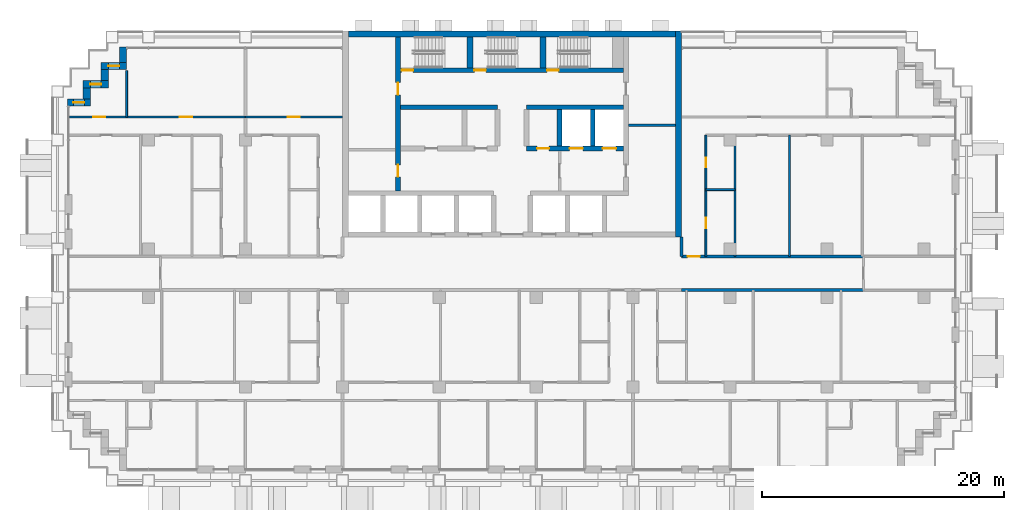
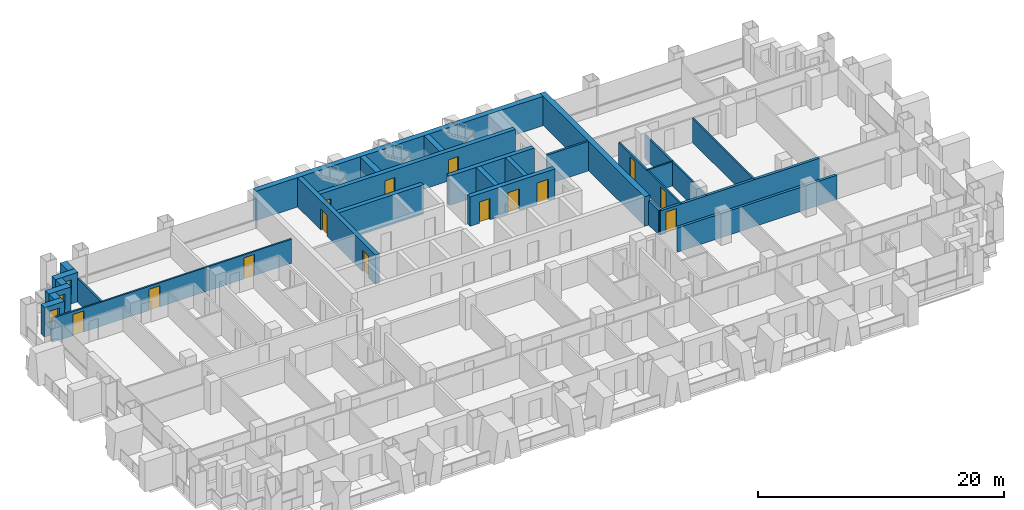
# One storey, part 12 of 18: 28 walls, 14 doors, 3 windows, 17 openings.
"""IFC4 building model written with IfcOpenShell, lengths in metres."""

from ifc_helpers import new_model, si_unit, direction, frame, frame_2d, origin, place, context, subcontext, project, spatial, rectangle, extrude, material, layer, layer_set, type_object, element, fill, save


model = new_model("IFC4")

# Units and contexts
model_context = context("Model", 3, precision=1e-05, world=origin(), true_north=direction((0.0, 1.0)))
body_context = subcontext(model_context, "Body", "Model", "MODEL_VIEW")
ifc_project = project(units=[si_unit("LENGTHUNIT", "METRE"), si_unit("AREAUNIT", "SQUARE_METRE"), si_unit("VOLUMEUNIT", "CUBIC_METRE"), si_unit("PLANEANGLEUNIT", "RADIAN"), si_unit("MASSUNIT", "GRAM", prefix="KILO")], contexts=[model_context])

# Site, building, storey
site_placement = place(None, origin())
site = spatial("IfcSite", under=ifc_project, at=site_placement, CompositionType="ELEMENT")
building_placement = place(site_placement, origin())
building = spatial("IfcBuilding", under=site, at=building_placement, Name="Vidyagriha Tower", CompositionType="ELEMENT")
storey_placement = place(building_placement, frame((0.0, 0.0, 51.199951171875)))
storey = spatial("IfcBuildingStorey", under=building, at=storey_placement, Name="L13", CompositionType="ELEMENT", Elevation=51.199951171875)

# Wall
ifc_material_1 = material(Name="Precast concrete C40/50 with brick facing", Category="concrete")
ifc_layer_1 = layer(ifc_material_1, 0.60009765625)
ifc_layer_set_1 = layer_set([ifc_layer_1], Name="Precast concrete C40/50 with brick facing")
wall_type_1 = type_object("IfcWallType", Name="Brick-faced precast wall 600", PredefinedType="STANDARD", material=ifc_layer_set_1)
wall_1_placement = place(storey_placement, frame((-32.10009765625, 18.679931640625, 0.0), z_axis=(0.0, 0.0, 1.0), x_axis=(0.0, -1.0, 0.0)))
element("IfcWall", 1, at=wall_1_placement, inside=storey, type_object=wall_type_1, Name="Stepped corner wall L13 R10", PredefinedType="STANDARD", context=body_context, shape_type="SweptSolid", body=[
    extrude(rectangle(XDim=1.280029296875, YDim=0.60009765625, at=frame_2d((0.64013671875, 0.0))), origin(), (0.0, 0.0, 1.0), 2.920166015625),
])

# Wall, opening, window
wall_2_placement = place(storey_placement, frame((-31.800048828125, 17.10009765625, 0.0), z_axis=(0.0, 0.0, 1.0), x_axis=(-1.0, 0.0, 0.0)))
wall_2 = element("IfcWall", 2, at=wall_2_placement, inside=storey, type_object=wall_type_1, Name="Stepped corner wall L13 R11", PredefinedType="STANDARD", context=body_context, shape_type="SweptSolid", body=[
    extrude(rectangle(XDim=2.099853515625, YDim=0.60009765625, at=frame_2d((1.0498046875, 0.0))), origin(), (0.0, 0.0, 1.0), 2.920166015625),
])
opening_1_placement = place(wall_2_placement, frame((0.60009765625, 0.0, 0.89990234375)))
opening_1 = element("IfcOpeningElement", 3, at=opening_1_placement, cuts=wall_2, Name="Opening WN1", PredefinedType="OPENING", context=body_context, shape_type="SweptSolid", body=[
    extrude(rectangle(XDim=0.89990234375, YDim=1.5, at=frame_2d((0.449951171875, 0.75))), frame((0.0, 0.31005859375, 0.0), z_axis=(0.0, -1.0, 0.0), x_axis=(1.0, 0.0, 0.0)), (0.0, 0.0, 1.0), 0.6201171875),
])
ifc_material_2 = material(Name="Aluminium and glass window", Category="aluminium")
window_type = type_object("IfcWindowType", Name="Reveal window 900x1500", PartitioningType="NOTDEFINED", PredefinedType="WINDOW", material=ifc_material_2)
window_1_placement = place(opening_1_placement, origin())
window_1 = element("IfcWindow", 4, at=window_1_placement, inside=storey, type_object=window_type, Name="Reveal window L13 R11", OverallHeight=1.5, OverallWidth=0.89990234375, PartitioningType="SINGLE_PANEL", PredefinedType="WINDOW", context=body_context, shape_type="SweptSolid", body=[
    extrude(rectangle(XDim=0.89990234375, YDim=1.5, at=frame_2d((0.449951171875, 0.75))), frame((0.0, 0.030029296875, 0.0), z_axis=(0.0, -1.0, 0.0), x_axis=(1.0, 0.0, 0.0)), (0.0, 0.0, 1.0), 0.06005859375),
])
fill(opening_1, window_1)

# Wall
wall_3_placement = place(storey_placement, frame((-33.60009765625, 16.800048828125, 0.0), z_axis=(0.0, 0.0, 1.0), x_axis=(0.0, -1.0, 0.0)))
element("IfcWall", 5, at=wall_3_placement, inside=storey, type_object=wall_type_1, Name="Stepped corner wall L13 R12", PredefinedType="STANDARD", context=body_context, shape_type="SweptSolid", body=[
    extrude(rectangle(XDim=0.900146484375, YDim=0.60009765625, at=frame_2d((0.4501953125, 0.0))), origin(), (0.0, 0.0, 1.0), 2.920166015625),
])

# Wall, opening, window
wall_4_placement = place(storey_placement, frame((-33.300048828125, 15.60009765625, 0.0), z_axis=(0.0, 0.0, 1.0), x_axis=(-1.0, 0.0, 0.0)))
wall_4 = element("IfcWall", 6, at=wall_4_placement, inside=storey, type_object=wall_type_1, Name="Stepped corner wall L13 R13", PredefinedType="STANDARD", context=body_context, shape_type="SweptSolid", body=[
    extrude(rectangle(XDim=2.099853515625, YDim=0.60009765625, at=frame_2d((1.0498046875, 0.0))), origin(), (0.0, 0.0, 1.0), 2.920166015625),
])
opening_2_placement = place(wall_4_placement, frame((0.60009765625, 0.0, 0.89990234375)))
opening_2 = element("IfcOpeningElement", 7, at=opening_2_placement, cuts=wall_4, Name="Opening WN1", PredefinedType="OPENING", context=body_context, shape_type="SweptSolid", body=[
    extrude(rectangle(XDim=0.89990234375, YDim=1.5, at=frame_2d((0.449951171875, 0.75))), frame((0.0, 0.31005859375, 0.0), z_axis=(0.0, -1.0, 0.0), x_axis=(1.0, 0.0, 0.0)), (0.0, 0.0, 1.0), 0.6201171875),
])
window_2_placement = place(opening_2_placement, origin())
window_2 = element("IfcWindow", 8, at=window_2_placement, inside=storey, type_object=window_type, Name="Reveal window L13 R13", OverallHeight=1.5, OverallWidth=0.89990234375, PartitioningType="SINGLE_PANEL", PredefinedType="WINDOW", context=body_context, shape_type="SweptSolid", body=[
    extrude(rectangle(XDim=0.89990234375, YDim=1.5, at=frame_2d((0.449951171875, 0.75))), frame((0.0, 0.030029296875, 0.0), z_axis=(0.0, -1.0, 0.0), x_axis=(1.0, 0.0, 0.0)), (0.0, 0.0, 1.0), 0.06005859375),
])
fill(opening_2, window_2)

# Wall
wall_5_placement = place(storey_placement, frame((-35.10009765625, 15.300048828125, 0.0), z_axis=(0.0, 0.0, 1.0), x_axis=(0.0, -1.0, 0.0)))
element("IfcWall", 9, at=wall_5_placement, inside=storey, type_object=wall_type_1, Name="Stepped corner wall L13 R14", PredefinedType="STANDARD", context=body_context, shape_type="SweptSolid", body=[
    extrude(rectangle(XDim=0.900146484375, YDim=0.60009765625, at=frame_2d((0.4501953125, 0.0))), origin(), (0.0, 0.0, 1.0), 2.920166015625),
])

# Wall, opening, window
wall_6_placement = place(storey_placement, frame((-34.800048828125, 14.10009765625, 0.0), z_axis=(0.0, 0.0, 1.0), x_axis=(-1.0, 0.0, 0.0)))
wall_6 = element("IfcWall", 10, at=wall_6_placement, inside=storey, type_object=wall_type_1, Name="Stepped corner wall L13 R15", PredefinedType="STANDARD", context=body_context, shape_type="SweptSolid", body=[
    extrude(rectangle(XDim=1.8798828125, YDim=0.60009765625, at=frame_2d((0.93994140625, 0.0))), origin(), (0.0, 0.0, 1.0), 2.920166015625),
])
opening_3_placement = place(wall_6_placement, frame((0.489990234375, 0.0, 0.89990234375)))
opening_3 = element("IfcOpeningElement", 11, at=opening_3_placement, cuts=wall_6, Name="Opening WN1", PredefinedType="OPENING", context=body_context, shape_type="SweptSolid", body=[
    extrude(rectangle(XDim=0.89990234375, YDim=1.5, at=frame_2d((0.449951171875, 0.75))), frame((0.0, 0.31005859375, 0.0), z_axis=(0.0, -1.0, 0.0), x_axis=(1.0, 0.0, 0.0)), (0.0, 0.0, 1.0), 0.6201171875),
])
window_3_placement = place(opening_3_placement, origin())
window_3 = element("IfcWindow", 12, at=window_3_placement, inside=storey, type_object=window_type, Name="Reveal window L13 R15", OverallHeight=1.5, OverallWidth=0.89990234375, PartitioningType="SINGLE_PANEL", PredefinedType="WINDOW", context=body_context, shape_type="SweptSolid", body=[
    extrude(rectangle(XDim=0.89990234375, YDim=1.5, at=frame_2d((0.449951171875, 0.75))), frame((0.0, 0.030029296875, 0.0), z_axis=(0.0, -1.0, 0.0), x_axis=(1.0, 0.0, 0.0)), (0.0, 0.0, 1.0), 0.06005859375),
])
fill(opening_3, window_3)

# Wall, openings, doors
ifc_material_3 = material(Name="Concrete C60/75", Category="concrete")
ifc_layer_2 = layer(ifc_material_3, 0.39990234375)
ifc_layer_set_2 = layer_set([ifc_layer_2], Name="Concrete C60/75")
wall_type_2 = type_object("IfcWallType", Name="Core shear wall 400 mm", PredefinedType="SHEAR", material=ifc_layer_set_2)
wall_7_placement = place(storey_placement, frame((-9.39990234375, 6.800048828125, 0.0), z_axis=(0.0, 0.0, 1.0), x_axis=(0.0, 1.0, 0.0)))
wall_7 = element("IfcWall", 13, at=wall_7_placement, inside=storey, type_object=wall_type_2, Name="Core west spine wall", PredefinedType="SHEAR", context=body_context, shape_type="SweptSolid", body=[
    extrude(rectangle(XDim=12.699951171875, YDim=0.39990234375, at=frame_2d((6.35009765625, 0.0))), origin(), (0.0, 0.0, 1.0), 2.920166015625),
])
opening_4_placement = place(wall_7_placement, frame((1.14990234375, 0.0, 0.0)))
opening_4 = element("IfcOpeningElement", 14, at=opening_4_placement, cuts=wall_7, Name="Opening D13-09", PredefinedType="OPENING", context=body_context, shape_type="SweptSolid", body=[
    extrude(rectangle(XDim=1.0, YDim=2.10009765625, at=frame_2d((0.5, 1.050048828125))), frame((0.0, 0.2099609375, 0.0), z_axis=(0.0, -1.0, 0.0), x_axis=(1.0, 0.0, 0.0)), (0.0, 0.0, 1.0), 0.419921875),
])
opening_5_placement = place(wall_7_placement, frame((7.925048828125, 0.0, 0.0)))
opening_5 = element("IfcOpeningElement", 15, at=opening_5_placement, cuts=wall_7, Name="Opening D13-10", PredefinedType="OPENING", context=body_context, shape_type="SweptSolid", body=[
    extrude(rectangle(XDim=1.0, YDim=2.10009765625, at=frame_2d((0.5, 1.050048828125))), frame((0.0, 0.2099609375, 0.0), z_axis=(0.0, -1.0, 0.0), x_axis=(1.0, 0.0, 0.0)), (0.0, 0.0, 1.0), 0.419921875),
])
ifc_material_4 = material(Name="Hollow metal door leaf")
door_type_1 = type_object("IfcDoorType", Name="Core room door 1000 x 2100 mm EI 60", OperationType="NOTDEFINED", PredefinedType="DOOR", material=ifc_material_4)
door_1_placement = place(opening_4_placement, frame((1.0, 0.0, 0.0), z_axis=(0.0, 0.0, 1.0), x_axis=(-1.0, 0.0, 0.0)))
door_1 = element("IfcDoor", 16, at=door_1_placement, inside=storey, type_object=door_type_1, Name="Door Switchgear Room 13.W1", OperationType="SINGLE_SWING_RIGHT", OverallHeight=2.10009765625, OverallWidth=1.0, PredefinedType="DOOR", context=body_context, shape_type="SweptSolid", body=[
    extrude(rectangle(XDim=1.0, YDim=2.10009765625, at=frame_2d((0.5, 1.050048828125))), frame((0.0, 0.02490234375, 0.0), z_axis=(0.0, -1.0, 0.0), x_axis=(1.0, 0.0, 0.0)), (0.0, 0.0, 1.0), 0.050048828125),
])
fill(opening_4, door_1)
door_2_placement = place(opening_5_placement, frame((1.0, 0.0, 0.0), z_axis=(0.0, 0.0, 1.0), x_axis=(-1.0, 0.0, 0.0)))
door_2 = element("IfcDoor", 17, at=door_2_placement, inside=storey, type_object=door_type_1, Name="Door Electrical Room 13.W2", OperationType="SINGLE_SWING_LEFT", OverallHeight=2.10009765625, OverallWidth=1.0, PredefinedType="DOOR", context=body_context, shape_type="SweptSolid", body=[
    extrude(rectangle(XDim=1.0, YDim=2.10009765625, at=frame_2d((0.5, 1.050048828125))), frame((0.0, 0.02490234375, 0.0), z_axis=(0.0, -1.0, 0.0), x_axis=(1.0, 0.0, 0.0)), (0.0, 0.0, 1.0), 0.050048828125),
])
fill(opening_5, door_2)

# Wall
wall_8_placement = place(storey_placement, frame((-9.199951171875, 13.699951171875, 0.0)))
element("IfcWall", 18, at=wall_8_placement, inside=storey, type_object=wall_type_2, Name="Core row N rear wall", PredefinedType="SHEAR", context=body_context, shape_type="SweptSolid", body=[
    extrude(rectangle(XDim=8.0, YDim=0.39990234375, at=frame_2d((4.0, 0.0))), origin(), (0.0, 0.0, 1.0), 2.920166015625),
])

# Wall, openings, doors
wall_9_placement = place(storey_placement, frame((1.199951171875, 10.300048828125, 0.0)))
wall_9 = element("IfcWall", 19, at=wall_9_placement, inside=storey, type_object=wall_type_2, Name="Core row N front wall", PredefinedType="SHEAR", context=body_context, shape_type="SweptSolid", body=[
    extrude(rectangle(XDim=8.0, YDim=0.39990234375, at=frame_2d((4.0, 0.0))), origin(), (0.0, 0.0, 1.0), 2.920166015625),
])
opening_6_placement = place(wall_9_placement, frame((3.550048828125, 0.0, 0.0)))
opening_6 = element("IfcOpeningElement", 20, at=opening_6_placement, cuts=wall_9, Name="Opening LD13-05", PredefinedType="OPENING", context=body_context, shape_type="SweptSolid", body=[
    extrude(rectangle(XDim=1.10009765625, YDim=2.10009765625, at=frame_2d((0.550048828125, 1.050048828125))), frame((0.0, 0.2099609375, 0.0), z_axis=(0.0, -1.0, 0.0), x_axis=(1.0, 0.0, 0.0)), (0.0, 0.0, 1.0), 0.419921875),
])
opening_7_placement = place(wall_9_placement, frame((6.283203125, 0.0, 0.0)))
opening_7 = element("IfcOpeningElement", 21, at=opening_7_placement, cuts=wall_9, Name="Opening LD13-06", PredefinedType="OPENING", context=body_context, shape_type="SweptSolid", body=[
    extrude(rectangle(XDim=1.10009765625, YDim=2.10009765625, at=frame_2d((0.550048828125, 1.050048828125))), frame((0.0, 0.2099609375, 0.0), z_axis=(0.0, -1.0, 0.0), x_axis=(1.0, 0.0, 0.0)), (0.0, 0.0, 1.0), 0.419921875),
])
opening_8_placement = place(wall_9_placement, frame((0.86669921875, 0.0, 0.0)))
opening_8 = element("IfcOpeningElement", 22, at=opening_8_placement, cuts=wall_9, Name="Opening D13-04", PredefinedType="OPENING", context=body_context, shape_type="SweptSolid", body=[
    extrude(rectangle(XDim=1.0, YDim=2.10009765625, at=frame_2d((0.5, 1.050048828125))), frame((0.0, 0.2099609375, 0.0), z_axis=(0.0, -1.0, 0.0), x_axis=(1.0, 0.0, 0.0)), (0.0, 0.0, 1.0), 0.419921875),
])
door_3_placement = place(opening_8_placement, frame((1.0, 0.0, 0.0), z_axis=(0.0, 0.0, 1.0), x_axis=(-1.0, 0.0, 0.0)))
door_3 = element("IfcDoor", 23, at=door_3_placement, inside=storey, type_object=door_type_1, Name="Door Switchgear Room 13.16", OperationType="SINGLE_SWING_LEFT", OverallHeight=2.10009765625, OverallWidth=1.0, PredefinedType="DOOR", context=body_context, shape_type="SweptSolid", body=[
    extrude(rectangle(XDim=1.0, YDim=2.10009765625, at=frame_2d((0.5, 1.050048828125))), frame((0.0, 0.02490234375, 0.0), z_axis=(0.0, -1.0, 0.0), x_axis=(1.0, 0.0, 0.0)), (0.0, 0.0, 1.0), 0.050048828125),
])
fill(opening_8, door_3)
ifc_material_5 = material(Name="Stainless steel sliding door panel", Category="steel")
door_type_2 = type_object("IfcDoorType", Name="Lift landing door 1100 x 2100 mm EI 90", OperationType="NOTDEFINED", PredefinedType="DOOR", material=ifc_material_5)
door_4_placement = place(opening_6_placement, origin())
door_4 = element("IfcDoor", 24, at=door_4_placement, inside=storey, type_object=door_type_2, Name="Landing door FF1 L13", OperationType="SLIDING_TO_LEFT", OverallHeight=2.10009765625, OverallWidth=1.10009765625, PredefinedType="DOOR", context=body_context, shape_type="SweptSolid", body=[
    extrude(rectangle(XDim=1.10009765625, YDim=2.10009765625, at=frame_2d((0.550048828125, 1.050048828125))), frame((0.0, 0.02490234375, 0.0), z_axis=(0.0, -1.0, 0.0), x_axis=(1.0, 0.0, 0.0)), (0.0, 0.0, 1.0), 0.050048828125),
])
fill(opening_6, door_4)
door_5_placement = place(opening_7_placement, origin())
door_5 = element("IfcDoor", 25, at=door_5_placement, inside=storey, type_object=door_type_2, Name="Landing door FF2 L13", OperationType="SLIDING_TO_LEFT", OverallHeight=2.10009765625, OverallWidth=1.10009765625, PredefinedType="DOOR", context=body_context, shape_type="SweptSolid", body=[
    extrude(rectangle(XDim=1.10009765625, YDim=2.10009765625, at=frame_2d((0.550048828125, 1.050048828125))), frame((0.0, 0.02490234375, 0.0), z_axis=(0.0, -1.0, 0.0), x_axis=(1.0, 0.0, 0.0)), (0.0, 0.0, 1.0), 0.050048828125),
])
fill(opening_7, door_5)

# Walls
wall_10_placement = place(storey_placement, frame((1.199951171875, 13.699951171875, 0.0)))
element("IfcWall", 26, at=wall_10_placement, inside=storey, type_object=wall_type_2, Name="Core row N rear wall", PredefinedType="SHEAR", context=body_context, shape_type="SweptSolid", body=[
    extrude(rectangle(XDim=8.0, YDim=0.39990234375, at=frame_2d((4.0, 0.0))), origin(), (0.0, 0.0, 1.0), 2.920166015625),
])
for number, where, z_axis, x_axis, name in (
    (27, (3.933349609375, 10.5, 0.0), (0.0, 0.0, 1.0), (0.0, 1.0, 0.0), "Core bay wall N5"),
    (28, (6.666748046875, 10.5, 0.0), (0.0, 0.0, 1.0), (0.0, 1.0, 0.0), "Core bay wall N6"),
):
    element("IfcWall", number, at=place(storey_placement, frame(where, z_axis=z_axis, x_axis=x_axis)), inside=storey, type_object=wall_type_2, Name=name, PredefinedType="SHEAR", context=body_context, shape_type="SweptSolid", body=[
        extrude(rectangle(XDim=3.0, YDim=0.39990234375, at=frame_2d((1.5, 0.0))), origin(), (0.0, 0.0, 1.0), 2.920166015625),
    ])

# Wall, openings, doors
wall_11_placement = place(storey_placement, frame((-9.199951171875, 16.75, 0.0)))
wall_11 = element("IfcWall", 29, at=wall_11_placement, inside=storey, type_object=wall_type_2, Name="Stair front wall", PredefinedType="SHEAR", context=body_context, shape_type="SweptSolid", body=[
    extrude(rectangle(XDim=18.39990234375, YDim=0.39990234375, at=frame_2d((9.199951171875, 0.0))), origin(), (0.0, 0.0, 1.0), 2.920166015625),
])
opening_9_placement = place(wall_11_placement, frame((0.10009765625, 0.0, 0.0)))
opening_9 = element("IfcOpeningElement", 30, at=opening_9_placement, cuts=wall_11, Name="Opening D13-06", PredefinedType="OPENING", context=body_context, shape_type="SweptSolid", body=[
    extrude(rectangle(XDim=0.949951171875, YDim=2.10009765625, at=frame_2d((0.47509765625, 1.050048828125))), frame((0.0, 0.2099609375, 0.0), z_axis=(0.0, -1.0, 0.0), x_axis=(1.0, 0.0, 0.0)), (0.0, 0.0, 1.0), 0.419921875),
])
opening_10_placement = place(wall_11_placement, frame((6.10009765625, 0.0, 0.0)))
opening_10 = element("IfcOpeningElement", 31, at=opening_10_placement, cuts=wall_11, Name="Opening D13-07", PredefinedType="OPENING", context=body_context, shape_type="SweptSolid", body=[
    extrude(rectangle(XDim=0.949951171875, YDim=2.10009765625, at=frame_2d((0.47509765625, 1.050048828125))), frame((0.0, 0.2099609375, 0.0), z_axis=(0.0, -1.0, 0.0), x_axis=(1.0, 0.0, 0.0)), (0.0, 0.0, 1.0), 0.419921875),
])
opening_11_placement = place(wall_11_placement, frame((12.10009765625, 0.0, 0.0)))
opening_11 = element("IfcOpeningElement", 32, at=opening_11_placement, cuts=wall_11, Name="Opening D13-08", PredefinedType="OPENING", context=body_context, shape_type="SweptSolid", body=[
    extrude(rectangle(XDim=0.949951171875, YDim=2.10009765625, at=frame_2d((0.47509765625, 1.050048828125))), frame((0.0, 0.2099609375, 0.0), z_axis=(0.0, -1.0, 0.0), x_axis=(1.0, 0.0, 0.0)), (0.0, 0.0, 1.0), 0.419921875),
])
ifc_material_6 = material(Name="Hollow metal door leaf")
door_type_3 = type_object("IfcDoorType", Name="Exit stair door 950 x 2100 mm EI 90", OperationType="NOTDEFINED", PredefinedType="DOOR", material=ifc_material_6)
door_6_placement = place(opening_9_placement, origin())
door_6 = element("IfcDoor", 33, at=door_6_placement, inside=storey, type_object=door_type_3, Name="Stair door ST1 L13", OperationType="SINGLE_SWING_LEFT", OverallHeight=2.10009765625, OverallWidth=0.949951171875, PredefinedType="DOOR", context=body_context, shape_type="SweptSolid", body=[
    extrude(rectangle(XDim=0.949951171875, YDim=2.10009765625, at=frame_2d((0.47509765625, 1.050048828125))), frame((0.0, 0.02490234375, 0.0), z_axis=(0.0, -1.0, 0.0), x_axis=(1.0, 0.0, 0.0)), (0.0, 0.0, 1.0), 0.050048828125),
])
fill(opening_9, door_6)
door_7_placement = place(opening_10_placement, origin())
door_7 = element("IfcDoor", 34, at=door_7_placement, inside=storey, type_object=door_type_3, Name="Stair door ST2 L13", OperationType="SINGLE_SWING_LEFT", OverallHeight=2.10009765625, OverallWidth=0.949951171875, PredefinedType="DOOR", context=body_context, shape_type="SweptSolid", body=[
    extrude(rectangle(XDim=0.949951171875, YDim=2.10009765625, at=frame_2d((0.47509765625, 1.050048828125))), frame((0.0, 0.02490234375, 0.0), z_axis=(0.0, -1.0, 0.0), x_axis=(1.0, 0.0, 0.0)), (0.0, 0.0, 1.0), 0.050048828125),
])
fill(opening_10, door_7)
door_8_placement = place(opening_11_placement, origin())
door_8 = element("IfcDoor", 35, at=door_8_placement, inside=storey, type_object=door_type_3, Name="Stair door ST3 L13", OperationType="SINGLE_SWING_LEFT", OverallHeight=2.10009765625, OverallWidth=0.949951171875, PredefinedType="DOOR", context=body_context, shape_type="SweptSolid", body=[
    extrude(rectangle(XDim=0.949951171875, YDim=2.10009765625, at=frame_2d((0.47509765625, 1.050048828125))), frame((0.0, 0.02490234375, 0.0), z_axis=(0.0, -1.0, 0.0), x_axis=(1.0, 0.0, 0.0)), (0.0, 0.0, 1.0), 0.050048828125),
])
fill(opening_11, door_8)

# Walls
ifc_material_7 = material(Name="Concrete C60/75", Category="concrete")
ifc_layer_3 = layer(ifc_material_7, 0.5)
ifc_layer_set_3 = layer_set([ifc_layer_3], Name="Concrete C60/75")
wall_type_3 = type_object("IfcWallType", Name="Core shear wall 500 mm", PredefinedType="SHEAR", material=ifc_layer_set_3)
wall_12_placement = place(storey_placement, frame((13.75, 3.0, 0.0), z_axis=(0.0, 0.0, 1.0), x_axis=(0.0, 1.0, 0.0)))
element("IfcWall", 36, at=wall_12_placement, inside=storey, type_object=wall_type_3, Name="Core east wall", PredefinedType="SHEAR", context=body_context, shape_type="SweptSolid", body=[
    extrude(rectangle(XDim=17.0, YDim=0.5, at=frame_2d((8.5, 0.0))), origin(), (0.0, 0.0, 1.0), 2.920166015625),
])
wall_13_placement = place(storey_placement, frame((-13.5, 19.75, 0.0)))
element("IfcWall", 37, at=wall_13_placement, inside=storey, type_object=wall_type_3, Name="Core north wall", PredefinedType="SHEAR", context=body_context, shape_type="SweptSolid", body=[
    extrude(rectangle(XDim=27.0, YDim=0.5, at=frame_2d((13.5, 0.0))), origin(), (0.0, 0.0, 1.0), 2.920166015625),
])
for number, where, z_axis, x_axis, name in (
    (38, (-3.449951171875, 16.949951171875, 0.0), (0.0, 0.0, 1.0), (0.0, 1.0, 0.0), "Stair partition wall 1"),
    (39, (2.550048828125, 16.949951171875, 0.0), (0.0, 0.0, 1.0), (0.0, 1.0, 0.0), "Stair partition wall 2"),
):
    element("IfcWall", number, at=place(storey_placement, frame(where, z_axis=z_axis, x_axis=x_axis)), inside=storey, type_object=wall_type_3, Name=name, PredefinedType="SHEAR", context=body_context, shape_type="SweptSolid", body=[
        extrude(rectangle(XDim=2.550048828125, YDim=0.5, at=frame_2d((1.27490234375, 0.0))), origin(), (0.0, 0.0, 1.0), 2.920166015625),
    ])
ifc_material_8 = material(Name="Fired clay brick masonry", Category="masonry")
ifc_layer_4 = layer(ifc_material_8, 0.25)
ifc_layer_set_4 = layer_set([ifc_layer_4], Name="Fired clay brick masonry")
wall_type_4 = type_object("IfcWallType", Name="Fired clay brick corridor wall 250", PredefinedType="PARTITIONING", material=ifc_layer_set_4)
wall_14_placement = place(storey_placement, frame((29.0, -1.39990234375, 0.0), z_axis=(0.0, 0.0, 1.0), x_axis=(-1.0, 0.0, 0.0)))
element("IfcWall", 40, at=wall_14_placement, inside=storey, type_object=wall_type_4, Name="Wall all-L13-w075", PredefinedType="PARTITIONING", context=body_context, shape_type="SweptSolid", body=[
    extrude(rectangle(XDim=15.0, YDim=0.25, at=frame_2d((7.5, 0.0))), origin(), (0.0, 0.0, 1.0), 2.400146484375),
])

# Wall, opening, door
wall_15_placement = place(storey_placement, frame((14.0, 1.39990234375, 0.0)))
wall_15 = element("IfcWall", 41, at=wall_15_placement, inside=storey, type_object=wall_type_4, Name="Wall all-L13-w125", PredefinedType="PARTITIONING", context=body_context, shape_type="SweptSolid", body=[
    extrude(rectangle(XDim=15.0, YDim=0.25, at=frame_2d((7.5, 0.0))), origin(), (0.0, 0.0, 1.0), 2.400146484375),
])
opening_12_placement = place(wall_15_placement, frame((0.5, 0.0, 0.0)))
opening_12 = element("IfcOpeningElement", 42, at=opening_12_placement, cuts=wall_15, Name="Opening D13-68", PredefinedType="OPENING", context=body_context, shape_type="SweptSolid", body=[
    extrude(rectangle(XDim=1.0, YDim=2.10009765625, at=frame_2d((0.5, 1.050048828125))), frame((0.0, 0.135009765625, 0.0), z_axis=(0.0, -1.0, 0.0), x_axis=(1.0, 0.0, 0.0)), (0.0, 0.0, 1.0), 0.27001953125),
])
ifc_material_9 = material(Name="Fire-rated timber door leaf EI 60", Category="wood")
door_type_4 = type_object("IfcDoorType", Name="Flat entrance fire door 1000x2100", OperationType="NOTDEFINED", PredefinedType="DOOR", material=ifc_material_9)
door_9_placement = place(opening_12_placement, origin())
door_9 = element("IfcDoor", 43, at=door_9_placement, inside=storey, type_object=door_type_4, Name="Door D13-68", OperationType="SINGLE_SWING_LEFT", OverallHeight=2.10009765625, OverallWidth=1.0, PredefinedType="DOOR", context=body_context, shape_type="SweptSolid", body=[
    extrude(rectangle(XDim=1.0, YDim=2.10009765625, at=frame_2d((0.5, 1.050048828125))), frame((0.0, 0.02490234375, 0.0), z_axis=(0.0, -1.0, 0.0), x_axis=(1.0, 0.0, 0.0)), (0.0, 0.0, 1.0), 0.050048828125),
])
fill(opening_12, door_9)

# Wall
wall_16_placement = place(storey_placement, frame((14.0, 1.39990234375, 0.0), z_axis=(0.0, 0.0, 1.0), x_axis=(0.0, 1.0, 0.0)))
element("IfcWall", 44, at=wall_16_placement, inside=storey, type_object=wall_type_4, Name="Wall all-L13-w133", PredefinedType="PARTITIONING", context=body_context, shape_type="SweptSolid", body=[
    extrude(rectangle(XDim=1.60009765625, YDim=0.25, at=frame_2d((0.800048828125, 0.0))), origin(), (0.0, 0.0, 1.0), 2.400146484375),
])

# Wall, openings, doors
ifc_material_10 = material(Name="Gypsum board partition")
ifc_layer_5 = layer(ifc_material_10, 0.14990234375)
ifc_layer_set_5 = layer_set([ifc_layer_5], Name="Gypsum board partition")
wall_type_5 = type_object("IfcWallType", Name="Gypsum board partition 150", PredefinedType="PARTITIONING", material=ifc_layer_set_5)
wall_17_placement = place(storey_placement, frame((-36.52001953125, 12.89990234375, 0.0)))
wall_17 = element("IfcWall", 45, at=wall_17_placement, inside=storey, type_object=wall_type_5, Name="Wall all-L13-w086", PredefinedType="PARTITIONING", context=body_context, shape_type="SweptSolid", body=[
    extrude(rectangle(XDim=14.52001953125, YDim=0.14990234375, at=frame_2d((7.260009765625, 0.0))), origin(), (0.0, 0.0, 1.0), 2.400146484375),
])
opening_13_placement = place(wall_17_placement, frame((1.969970703125, 0.0, 0.0)))
opening_13 = element("IfcOpeningElement", 46, at=opening_13_placement, cuts=wall_17, Name="Opening D13-51", PredefinedType="OPENING", context=body_context, shape_type="SweptSolid", body=[
    extrude(rectangle(XDim=1.0, YDim=2.10009765625, at=frame_2d((0.5, 1.050048828125))), frame((0.0, 0.0849609375, 0.0), z_axis=(0.0, -1.0, 0.0), x_axis=(1.0, 0.0, 0.0)), (0.0, 0.0, 1.0), 0.169921875),
])
opening_14_placement = place(wall_17_placement, frame((9.1201171875, 0.0, 0.0)))
opening_14 = element("IfcOpeningElement", 47, at=opening_14_placement, cuts=wall_17, Name="Opening D13-52", PredefinedType="OPENING", context=body_context, shape_type="SweptSolid", body=[
    extrude(rectangle(XDim=1.0, YDim=2.10009765625, at=frame_2d((0.5, 1.050048828125))), frame((0.0, 0.0849609375, 0.0), z_axis=(0.0, -1.0, 0.0), x_axis=(1.0, 0.0, 0.0)), (0.0, 0.0, 1.0), 0.169921875),
])
ifc_material_11 = material(Name="Timber door leaf", Category="wood")
door_type_5 = type_object("IfcDoorType", Name="Room door 1000x2100", OperationType="NOTDEFINED", PredefinedType="DOOR", material=ifc_material_11)
door_10_placement = place(opening_13_placement, origin())
door_10 = element("IfcDoor", 48, at=door_10_placement, inside=storey, type_object=door_type_5, Name="Door D13-51", OperationType="SINGLE_SWING_RIGHT", OverallHeight=2.10009765625, OverallWidth=1.0, PredefinedType="DOOR", context=body_context, shape_type="SweptSolid", body=[
    extrude(rectangle(XDim=1.0, YDim=2.10009765625, at=frame_2d((0.5, 1.050048828125))), frame((0.0, 0.02490234375, 0.0), z_axis=(0.0, -1.0, 0.0), x_axis=(1.0, 0.0, 0.0)), (0.0, 0.0, 1.0), 0.050048828125),
])
fill(opening_13, door_10)
door_11_placement = place(opening_14_placement, origin())
door_11 = element("IfcDoor", 49, at=door_11_placement, inside=storey, type_object=door_type_5, Name="Door D13-52", OperationType="SINGLE_SWING_RIGHT", OverallHeight=2.10009765625, OverallWidth=1.0, PredefinedType="DOOR", context=body_context, shape_type="SweptSolid", body=[
    extrude(rectangle(XDim=1.0, YDim=2.10009765625, at=frame_2d((0.5, 1.050048828125))), frame((0.0, 0.02490234375, 0.0), z_axis=(0.0, -1.0, 0.0), x_axis=(1.0, 0.0, 0.0)), (0.0, 0.0, 1.0), 0.050048828125),
])
fill(opening_14, door_11)

# Wall
wall_18_placement = place(storey_placement, frame((-31.800048828125, 16.719970703125, 0.0), z_axis=(0.0, 0.0, 1.0), x_axis=(0.0, -1.0, 0.0)))
element("IfcWall", 50, at=wall_18_placement, inside=storey, type_object=wall_type_5, Name="Wall all-L13-w089", PredefinedType="PARTITIONING", context=body_context, shape_type="SweptSolid", body=[
    extrude(rectangle(XDim=3.820068359375, YDim=0.14990234375, at=frame_2d((1.91015625, 0.0))), origin(), (0.0, 0.0, 1.0), 2.400146484375),
])

# Wall, opening, door
wall_19_placement = place(storey_placement, frame((-22.0, 12.89990234375, 0.0)))
wall_19 = element("IfcWall", 51, at=wall_19_placement, inside=storey, type_object=wall_type_5, Name="Wall all-L13-w098", PredefinedType="PARTITIONING", context=body_context, shape_type="SweptSolid", body=[
    extrude(rectangle(XDim=8.0, YDim=0.14990234375, at=frame_2d((4.0, 0.0))), origin(), (0.0, 0.0, 1.0), 2.400146484375),
])
opening_15_placement = place(wall_19_placement, frame((3.5, 0.0, 0.0)))
opening_15 = element("IfcOpeningElement", 52, at=opening_15_placement, cuts=wall_19, Name="Opening D13-57", PredefinedType="OPENING", context=body_context, shape_type="SweptSolid", body=[
    extrude(rectangle(XDim=1.0, YDim=2.10009765625, at=frame_2d((0.5, 1.050048828125))), frame((0.0, 0.0849609375, 0.0), z_axis=(0.0, -1.0, 0.0), x_axis=(1.0, 0.0, 0.0)), (0.0, 0.0, 1.0), 0.169921875),
])
door_12_placement = place(opening_15_placement, origin())
door_12 = element("IfcDoor", 53, at=door_12_placement, inside=storey, type_object=door_type_5, Name="Door D13-57", OperationType="SINGLE_SWING_RIGHT", OverallHeight=2.10009765625, OverallWidth=1.0, PredefinedType="DOOR", context=body_context, shape_type="SweptSolid", body=[
    extrude(rectangle(XDim=1.0, YDim=2.10009765625, at=frame_2d((0.5, 1.050048828125))), frame((0.0, 0.02490234375, 0.0), z_axis=(0.0, -1.0, 0.0), x_axis=(1.0, 0.0, 0.0)), (0.0, 0.0, 1.0), 0.050048828125),
])
fill(opening_15, door_12)

# Walls
wall_20_placement = place(storey_placement, frame((16.0, 6.89990234375, 0.0)))
element("IfcWall", 54, at=wall_20_placement, inside=storey, type_object=wall_type_5, Name="Wall all-L13-w107", PredefinedType="PARTITIONING", context=body_context, shape_type="SweptSolid", body=[
    extrude(rectangle(XDim=2.39990234375, YDim=0.14990234375, at=frame_2d((1.199951171875, 0.0))), origin(), (0.0, 0.0, 1.0), 2.400146484375),
])
for number, where, z_axis, x_axis, name in (
    (55, (18.39990234375, 11.39990234375, 0.0), (0.0, 0.0, 1.0), (0.0, -1.0, 0.0), "Wall all-L13-w108"),
    (56, (22.89990234375, 11.39990234375, 0.0), (0.0, 0.0, 1.0), (0.0, -1.0, 0.0), "Wall all-L13-w109"),
):
    element("IfcWall", number, at=place(storey_placement, frame(where, z_axis=z_axis, x_axis=x_axis)), inside=storey, type_object=wall_type_5, Name=name, PredefinedType="PARTITIONING", context=body_context, shape_type="SweptSolid", body=[
        extrude(rectangle(XDim=10.0, YDim=0.14990234375, at=frame_2d((5.0, 0.0))), origin(), (0.0, 0.0, 1.0), 2.400146484375),
    ])

# Wall, openings, doors
ifc_material_12 = material(Name="Moisture resistant gypsum board partition")
ifc_layer_6 = layer(ifc_material_12, 0.14990234375)
ifc_layer_set_6 = layer_set([ifc_layer_6], Name="Moisture resistant gypsum board partition")
wall_type_6 = type_object("IfcWallType", Name="Gypsum board wet-area partition 150", PredefinedType="PARTITIONING", material=ifc_layer_set_6)
wall_21_placement = place(storey_placement, frame((16.0, 11.39990234375, 0.0), z_axis=(0.0, 0.0, 1.0), x_axis=(0.0, -1.0, 0.0)))
wall_21 = element("IfcWall", 57, at=wall_21_placement, inside=storey, type_object=wall_type_6, Name="Wall all-L13-w104", PredefinedType="PARTITIONING", context=body_context, shape_type="SweptSolid", body=[
    extrude(rectangle(XDim=10.0, YDim=0.14990234375, at=frame_2d((5.0, 0.0))), origin(), (0.0, 0.0, 1.0), 2.400146484375),
])
opening_16_placement = place(wall_21_placement, frame((6.800048828125, 0.0, 0.0)))
opening_16 = element("IfcOpeningElement", 58, at=opening_16_placement, cuts=wall_21, Name="Opening D13-59", PredefinedType="OPENING", context=body_context, shape_type="SweptSolid", body=[
    extrude(rectangle(XDim=0.89990234375, YDim=2.10009765625, at=frame_2d((0.449951171875, 1.050048828125))), frame((0.0, 0.0849609375, 0.0), z_axis=(0.0, -1.0, 0.0), x_axis=(1.0, 0.0, 0.0)), (0.0, 0.0, 1.0), 0.169921875),
])
opening_17_placement = place(wall_21_placement, frame((1.85009765625, 0.0, 0.0)))
opening_17 = element("IfcOpeningElement", 59, at=opening_17_placement, cuts=wall_21, Name="Opening D13-60", PredefinedType="OPENING", context=body_context, shape_type="SweptSolid", body=[
    extrude(rectangle(XDim=0.800048828125, YDim=2.10009765625, at=frame_2d((0.39990234375, 1.050048828125))), frame((0.0, 0.0849609375, 0.0), z_axis=(0.0, -1.0, 0.0), x_axis=(1.0, 0.0, 0.0)), (0.0, 0.0, 1.0), 0.169921875),
])
ifc_material_13 = material(Name="Timber door leaf", Category="wood")
door_type_6 = type_object("IfcDoorType", Name="Bathroom door 800x2100", OperationType="NOTDEFINED", PredefinedType="DOOR", material=ifc_material_13)
door_13_placement = place(opening_17_placement, origin())
door_13 = element("IfcDoor", 60, at=door_13_placement, inside=storey, type_object=door_type_6, Name="Door D13-60", OperationType="SINGLE_SWING_RIGHT", OverallHeight=2.10009765625, OverallWidth=0.800048828125, PredefinedType="DOOR", context=body_context, shape_type="SweptSolid", body=[
    extrude(rectangle(XDim=0.800048828125, YDim=2.10009765625, at=frame_2d((0.39990234375, 1.050048828125))), frame((0.0, 0.02490234375, 0.0), z_axis=(0.0, -1.0, 0.0), x_axis=(1.0, 0.0, 0.0)), (0.0, 0.0, 1.0), 0.050048828125),
])
fill(opening_17, door_13)
ifc_material_14 = material(Name="Timber door leaf", Category="wood")
door_type_7 = type_object("IfcDoorType", Name="Kitchen door 900x2100", OperationType="NOTDEFINED", PredefinedType="DOOR", material=ifc_material_14)
door_14_placement = place(opening_16_placement, origin())
door_14 = element("IfcDoor", 61, at=door_14_placement, inside=storey, type_object=door_type_7, Name="Door D13-59", OperationType="SINGLE_SWING_LEFT", OverallHeight=2.10009765625, OverallWidth=0.89990234375, PredefinedType="DOOR", context=body_context, shape_type="SweptSolid", body=[
    extrude(rectangle(XDim=0.89990234375, YDim=2.10009765625, at=frame_2d((0.449951171875, 1.050048828125))), frame((0.0, 0.02490234375, 0.0), z_axis=(0.0, -1.0, 0.0), x_axis=(1.0, 0.0, 0.0)), (0.0, 0.0, 1.0), 0.050048828125),
])
fill(opening_16, door_14)

# Wall
ifc_material_15 = material(Name="Blockwork 15 MPa", Category="masonry")
ifc_layer_7 = layer(ifc_material_15, 0.199951171875)
ifc_layer_set_7 = layer_set([ifc_layer_7], Name="Blockwork 15 MPa")
wall_type_7 = type_object("IfcWallType", Name="Service room partition 200 mm", PredefinedType="PARTITIONING", material=ifc_layer_set_7)
wall_22_placement = place(storey_placement, frame((9.60009765625, 12.199951171875, 0.0)))
element("IfcWall", 62, at=wall_22_placement, inside=storey, type_object=wall_type_7, Name="Core room partition E1", PredefinedType="PARTITIONING", context=body_context, shape_type="SweptSolid", body=[
    extrude(rectangle(XDim=3.89990234375, YDim=0.199951171875, at=frame_2d((1.949951171875, 0.0))), origin(), (0.0, 0.0, 1.0), 2.920166015625),
])

save(model, "model.ifc")
